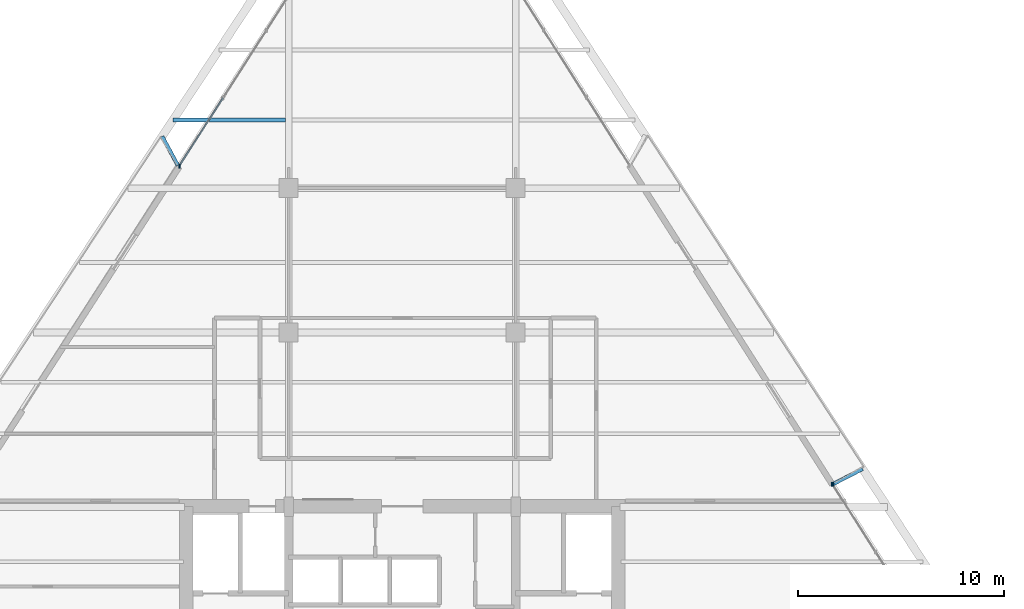
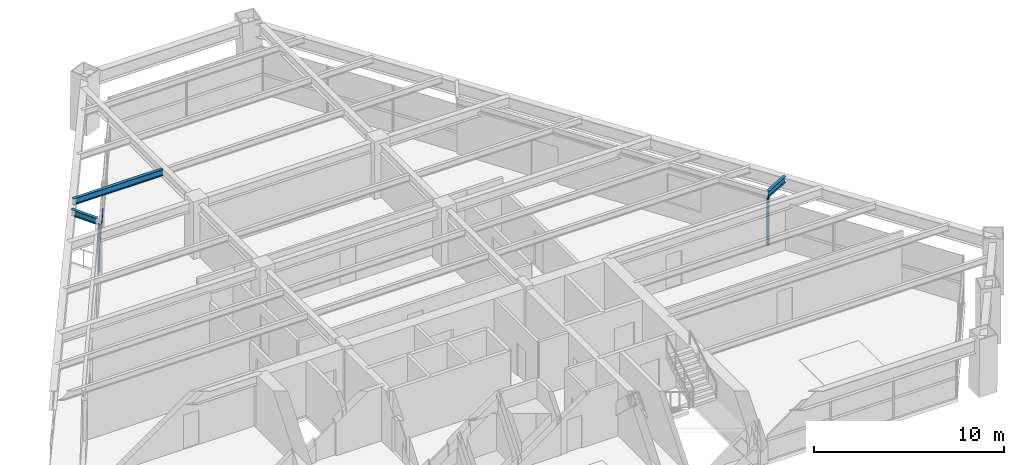
# One storey, part 8 of 16: 5 members, 3 beams, 2 elements without a shape of their own.
"""IFC4 building model written with IfcOpenShell, lengths in metres."""

from ifc_helpers import new_model, si_unit, direction, frame, origin, origin_2d, place, context, subcontext, project, spatial, rectangle, i_section, extrude, source, transform, mapped, material, material_profile, profile_set, type_object, element, aggregate, save


model = new_model("IFC4")

# Units and contexts
model_context = context("Model", 3, precision=1e-05, world=origin(), true_north=direction((0.0, 1.0)))
body_context = subcontext(model_context, "Body", "Model", "MODEL_VIEW")
ifc_project = project(units=[si_unit("LENGTHUNIT", "METRE"), si_unit("AREAUNIT", "SQUARE_METRE"), si_unit("VOLUMEUNIT", "CUBIC_METRE"), si_unit("PLANEANGLEUNIT", "RADIAN"), si_unit("MASSUNIT", "GRAM", prefix="KILO")], contexts=[model_context])

# Site, building, storey
site_placement = place(None, origin())
site = spatial("IfcSite", under=ifc_project, at=site_placement, CompositionType="ELEMENT")
building_placement = place(site_placement, origin())
building = spatial("IfcBuilding", under=site, at=building_placement, Name="Varnakhor Terracotta Tower", CompositionType="ELEMENT")
storey_placement = place(building_placement, frame((0.0, 0.0, 151.5)))
storey = spatial("IfcBuildingStorey", under=building, at=storey_placement, Name="L38", CompositionType="ELEMENT", Elevation=151.5)

# Beams
ifc_material_1 = material(Name="Steel S355", Category="steel")
ifc_material_profile_1 = material_profile(ifc_material_1, i_section(OverallWidth=0.179931640625, OverallDepth=0.4130859375, WebThickness=0.009765625, FlangeThickness=0.01611328125, FilletRadius=0.01806640625, at=origin_2d()), Name="W16X50")
ifc_profile_set_1 = profile_set([ifc_material_profile_1], Name="Steel S355")
beam_type_1 = type_object("IfcBeamType", Name="JST-W16X50", PredefinedType="JOIST", material=ifc_profile_set_1)
shared_shape_1 = source(origin(), body_context, "Body", "SweptSolid", [
    extrude(i_section(OverallWidth=0.179931640625, OverallDepth=0.4130859375, WebThickness=0.009765625, FlangeThickness=0.01611328125, FilletRadius=0.01806640625, at=origin_2d()), origin(), (0.0, 0.0, 1.0), 5.45556640625),
])
beam_1_placement = place(storey_placement, frame((-11.114013671875, 34.800048828125, 3.263427734375), z_axis=(1.0, 0.0, 0.0), x_axis=(0.0, 1.0, 0.0)))
element("IfcBeam", 1, at=beam_1_placement, inside=storey, type_object=beam_type_1, Name="L38 Composite Floor Joist 7-1", PredefinedType="JOIST", context=body_context, shape_type="MappedRepresentation", body=[
    mapped(shared_shape_1, transform((0.0, 0.0, 0.0), scale=1.0)),
])
ifc_material_profile_2 = material_profile(ifc_material_1, i_section(OverallWidth=0.179931640625, OverallDepth=0.39990234375, WebThickness=0.008544921875, FlangeThickness=0.013427734375, FilletRadius=0.01806640625, at=origin_2d()), Name="IPE400")
ifc_profile_set_2 = profile_set([ifc_material_profile_2], Name="Steel S355")
beam_type_2 = type_object("IfcBeamType", Name="JST-IPE400", PredefinedType="JOIST", material=ifc_profile_set_2)
shared_shape_2 = source(origin(), body_context, "Body", "SweptSolid", [
    extrude(i_section(OverallWidth=0.179931640625, OverallDepth=0.39990234375, WebThickness=0.008544921875, FlangeThickness=0.013427734375, FilletRadius=0.01806640625, at=origin_2d()), origin(), (0.0, 0.0, 1.0), 1.599853515625),
])
beam_2_placement = place(storey_placement, frame((-10.8740234375, 32.60205078125, 3.27001953125), z_axis=(-0.474290915944, 0.880368176988, 0.0), x_axis=(-0.880368176988, -0.474290915944, 0.0)))
element("IfcBeam", 2, at=beam_2_placement, inside=storey, type_object=beam_type_2, Name="L39 W Loggia Tie Beam 2", PredefinedType="JOIST", context=body_context, shape_type="MappedRepresentation", body=[
    mapped(shared_shape_2, transform((0.0, 0.0, 0.0), scale=1.0)),
])

# Curtain wall, members
ifc_material_2 = material(Name="Anodised Aluminium Curtain Wall System", Category="aluminium")
curtain_wall_type = type_object("IfcCurtainWallType", Name="CW-SYS-MID-OFFICE", PredefinedType="NOTDEFINED", material=ifc_material_2)
curtain_wall_1_placement = place(storey_placement, origin())
curtain_wall_1 = element("IfcCurtainWall", 3, at=curtain_wall_1_placement, inside=storey, type_object=curtain_wall_type, Name="L38 W Facet Curtain Wall 2", PredefinedType="NOTDEFINED")
ifc_material_3 = material(Name="Anodised Aluminium 6063-T6", Category="aluminium")
ifc_material_profile_3 = material_profile(ifc_material_3, rectangle(XDim=0.070068359375, YDim=0.175048828125, at=origin_2d()), Name="ALU MULLION 70x175")
ifc_profile_set_3 = profile_set([ifc_material_profile_3], Name="Anodised Aluminium 6063-T6")
member_type_1 = type_object("IfcMemberType", Name="CWM-03", PredefinedType="MULLION", material=ifc_profile_set_3)
shared_shape_3 = source(origin(), body_context, "Body", "SweptSolid", [
    extrude(rectangle(XDim=0.070068359375, YDim=0.175048828125, at=origin_2d()), origin(), (0.0, 0.0, 1.0), 3.050048828125),
])
member_1_placement = place(storey_placement, frame((-10.80126953125, 32.5830078125, 0.0), z_axis=(0.0, 0.0, 1.0), x_axis=(1.0, 0.0, 0.0)))
member_1 = element("IfcMember", 4, at=member_1_placement, type_object=member_type_1, Name="L38 W Facet Curtain Wall 2 Mullion 1", PredefinedType="MULLION", context=body_context, shape_type="MappedRepresentation", body=[
    mapped(shared_shape_3, transform((0.0, 0.0, 0.0), scale=1.0)),
])
member_2_placement = place(storey_placement, frame((-10.80078125, 32.546875, 0.0), z_axis=(0.0, 0.0, 1.0), x_axis=(1.0, 0.0, 0.0)))
member_2 = element("IfcMember", 5, at=member_2_placement, type_object=member_type_1, Name="L38 W Loggia Jamb Closure Mullion 2", PredefinedType="MULLION", context=body_context, shape_type="MappedRepresentation", body=[
    mapped(shared_shape_3, transform((0.0, 0.0, 0.0), scale=1.0)),
])

curtain_wall_2_placement = place(storey_placement, origin())
curtain_wall_2 = element("IfcCurtainWall", 6, at=curtain_wall_2_placement, inside=storey, type_object=curtain_wall_type, Name="L38 E Facet Curtain Wall 2", PredefinedType="NOTDEFINED")
member_3_placement = place(storey_placement, frame((20.87109375, 17.135498046875, 0.0), z_axis=(0.0, 0.0, 1.0), x_axis=(1.0, 0.0, 0.0)))
member_3 = element("IfcMember", 7, at=member_3_placement, type_object=member_type_1, Name="L38 E Facet Curtain Wall 2 Mullion 1", PredefinedType="MULLION", context=body_context, shape_type="MappedRepresentation", body=[
    mapped(shared_shape_3, transform((0.0, 0.0, 0.0), scale=1.0)),
])
member_4_placement = place(storey_placement, frame((20.838134765625, 17.150146484375, 0.0), z_axis=(0.0, 0.0, 1.0), x_axis=(1.0, 0.0, 0.0)))
member_4 = element("IfcMember", 8, at=member_4_placement, type_object=member_type_1, Name="L38 E Loggia Jamb Closure Mullion 2", PredefinedType="MULLION", context=body_context, shape_type="MappedRepresentation", body=[
    mapped(shared_shape_3, transform((0.0, 0.0, 0.0), scale=1.0)),
])
aggregate(curtain_wall_2, [member_3, member_4])

# Member
ifc_material_profile_4 = material_profile(ifc_material_3, rectangle(XDim=0.070068359375, YDim=0.155029296875, at=origin_2d()), Name="ALU TRANSOM 70x155")
ifc_profile_set_4 = profile_set([ifc_material_profile_4], Name="Anodised Aluminium 6063-T6")
member_type_2 = type_object("IfcMemberType", Name="CWT-03", PredefinedType="USERDEFINED", material=ifc_profile_set_4)
shared_shape_4 = source(origin(), body_context, "Body", "SweptSolid", [
    extrude(rectangle(XDim=0.070068359375, YDim=0.155029296875, at=origin_2d()), origin(), (0.0, 0.0, 1.0), 3.90283203125),
])
member_5_placement = place(storey_placement, frame((-10.80126953125, 32.5830078125, 1.281005859375), z_axis=(0.541231754218, 0.840873467429, 0.0), x_axis=(-0.840873467429, 0.541231754218, 0.0)))
member_5 = element("IfcMember", 9, at=member_5_placement, type_object=member_type_2, Name="L38 W Facet Curtain Wall 2 Transom 1", ObjectType="TRANSOM", PredefinedType="USERDEFINED", context=body_context, shape_type="MappedRepresentation", body=[
    mapped(shared_shape_4, transform((0.0, 0.0, 0.0), scale=1.0)),
])

aggregate(curtain_wall_1, [member_1, member_5, member_2])

# Beam
shared_shape_5 = source(origin(), body_context, "Body", "SweptSolid", [
    extrude(i_section(OverallWidth=0.179931640625, OverallDepth=0.39990234375, WebThickness=0.008544921875, FlangeThickness=0.013427734375, FilletRadius=0.01806640625, at=origin_2d()), origin(), (0.0, 0.0, 1.0), 1.620849609375),
])
beam_3_placement = place(storey_placement, frame((20.87109375, 17.152099609375, 3.27001953125), z_axis=(0.889401540787, 0.45712678684, 0.0), x_axis=(-0.45712678684, 0.889401540787, 0.0)))
element("IfcBeam", 10, at=beam_3_placement, inside=storey, type_object=beam_type_2, Name="L39 E Loggia Tie Beam 2", PredefinedType="JOIST", context=body_context, shape_type="MappedRepresentation", body=[
    mapped(shared_shape_5, transform((0.0, 0.0, 0.0), scale=1.0)),
])

save(model, "model.ifc")
